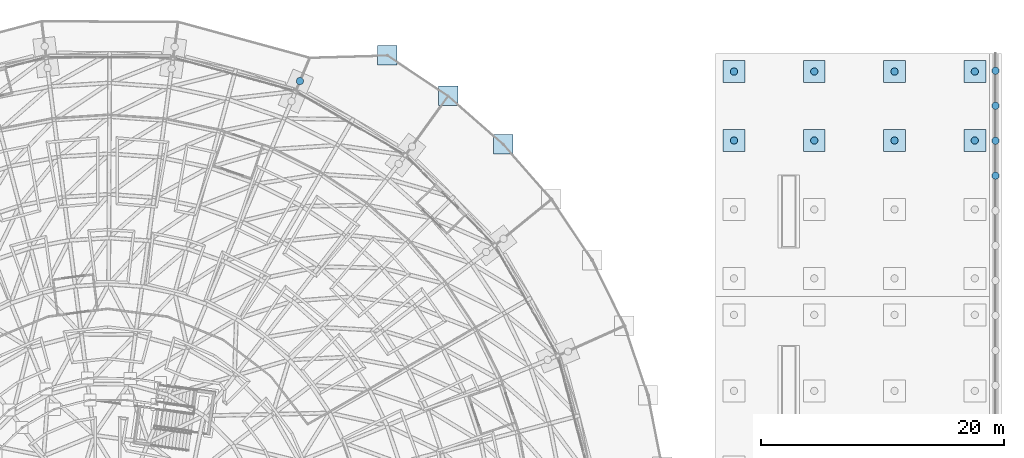
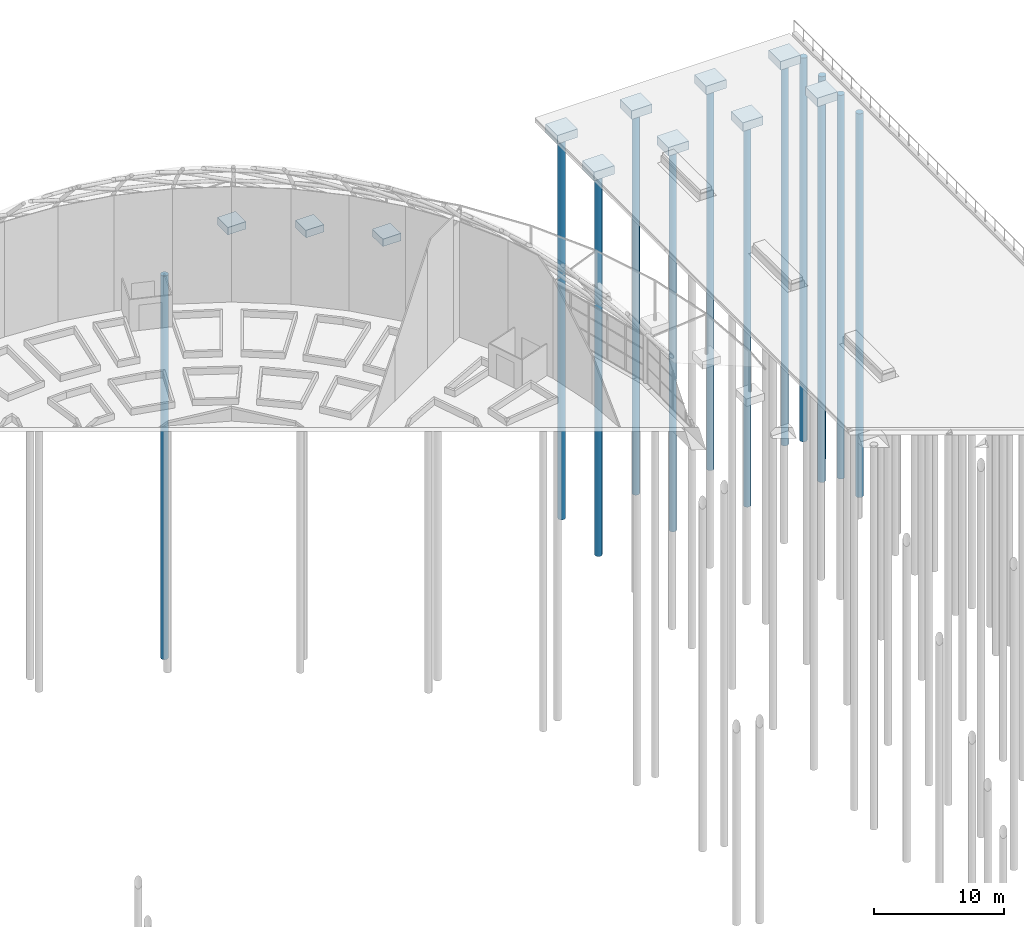
# One storey, part 12 of 226: 13 piles, 11 footings.
"""IFC4 building model written with IfcOpenShell, lengths in metres."""

from ifc_helpers import new_model, si_unit, direction, frame, origin, origin_2d, place, context, subcontext, project, spatial, polyline, circle, outline, extrude, material, layer, layer_set, material_profile, profile_set, type_object, element, save


model = new_model("IFC4")

# Units and contexts
model_context = context("Model", 3, precision=1e-05, world=origin(), true_north=direction((0.0, 1.0)))
body_context = subcontext(model_context, "Body", "Model", "MODEL_VIEW")
ifc_project = project(units=[si_unit("LENGTHUNIT", "METRE"), si_unit("AREAUNIT", "SQUARE_METRE"), si_unit("VOLUMEUNIT", "CUBIC_METRE"), si_unit("PLANEANGLEUNIT", "RADIAN"), si_unit("MASSUNIT", "GRAM", prefix="KILO")], contexts=[model_context])

# Site, building, storey
site_placement = place(None, origin())
site = spatial("IfcSite", under=ifc_project, at=site_placement, CompositionType="ELEMENT")
building_placement = place(site_placement, origin())
building = spatial("IfcBuilding", under=site, at=building_placement, Name="Ceibo Conservatory and Research Tower", CompositionType="ELEMENT")
storey_placement = place(building_placement, origin())
storey = spatial("IfcBuildingStorey", under=building, at=storey_placement, Name="L00", CompositionType="ELEMENT", Elevation=0.0)

# Piles
ifc_material_1 = material(Name="Concrete C35/45", Category="concrete")
ifc_material_profile = material_profile(ifc_material_1, circle(Radius=0.300048828125, at=origin_2d()), Name="RC D600")
ifc_profile_set = profile_set([ifc_material_profile], Name="Concrete C35/45")
pile_type = type_object("IfcPileType", Name="Bored pile D600", PredefinedType="BORED", material=ifc_profile_set)
for number, where, z_axis, x_axis, name in (
    (1, (171.81640625, 145.718017578125, -1.300048828125), (0.0, 0.0, -1.0), (1.0, 0.0, 0.0), "Pile DA.CAP.L00.05 02"),
    (2, (229.0, 137.94140625, -1.39990234375), (0.0, 0.0, -1.0), (1.0, 0.0, 0.0), "Pile SITE.STRIP.WALL.L00.QUAY.N 20"),
    (3, (229.0, 140.815185546875, -1.39990234375), (0.0, 0.0, -1.0), (1.0, 0.0, 0.0), "Pile SITE.STRIP.WALL.L00.QUAY.N 21"),
    (4, (229.0, 143.689208984375, -1.39990234375), (0.0, 0.0, -1.0), (1.0, 0.0, 0.0), "Pile SITE.STRIP.WALL.L00.QUAY.N 22"),
    (5, (229.0, 146.56298828125, -1.39990234375), (0.0, 0.0, -1.0), (1.0, 0.0, 0.0), "Pile SITE.STRIP.WALL.L00.QUAY.N 23"),
    (6, (207.5, 140.833251953125, -1.14990234375), (0.0, 0.0, -1.0), (1.0, 0.0, 0.0), "Pile SITE.QDECK.CAP.S3.09 01"),
    (7, (214.10009765625, 140.833251953125, -1.14990234375), (0.0, 0.0, -1.0), (1.0, 0.0, 0.0), "Pile SITE.QDECK.CAP.S3.10 01"),
    (8, (220.699951171875, 140.833251953125, -1.14990234375), (0.0, 0.0, -1.0), (1.0, 0.0, 0.0), "Pile SITE.QDECK.CAP.S3.11 01"),
    (9, (227.300048828125, 140.833251953125, -1.14990234375), (0.0, 0.0, -1.0), (1.0, 0.0, 0.0), "Pile SITE.QDECK.CAP.S3.12 01"),
    (10, (207.5, 146.5, -1.14990234375), (0.0, 0.0, -1.0), (1.0, 0.0, 0.0), "Pile SITE.QDECK.CAP.S3.13 01"),
    (11, (214.10009765625, 146.5, -1.14990234375), (0.0, 0.0, -1.0), (1.0, 0.0, 0.0), "Pile SITE.QDECK.CAP.S3.14 01"),
    (12, (220.699951171875, 146.5, -1.14990234375), (0.0, 0.0, -1.0), (1.0, 0.0, 0.0), "Pile SITE.QDECK.CAP.S3.15 01"),
    (13, (227.300048828125, 146.5, -1.14990234375), (0.0, 0.0, -1.0), (1.0, 0.0, 0.0), "Pile SITE.QDECK.CAP.S3.16 01"),
):
    element("IfcPile", number, at=place(storey_placement, frame(where, z_axis=z_axis, x_axis=x_axis)), inside=storey, type_object=pile_type, Name=name, PredefinedType="BORED", context=body_context, shape_type="SweptSolid", body=[
        extrude(circle(Radius=0.300048828125, at=origin_2d()), origin(), (0.0, 0.0, 1.0), 36.0),
    ])

# Footings
ifc_material_2 = material(Name="Concrete C40/50", Category="concrete")
ifc_layer_1 = layer(ifc_material_2, 0.699951171875)
ifc_layer_set_1 = layer_set([ifc_layer_1], Name="Concrete C40/50")
footing_type_1 = type_object("IfcFootingType", Name="Pad footing 1600x1600x700", PredefinedType="PAD_FOOTING", material=ifc_layer_set_1)
footing_1_placement = place(storey_placement, frame((0.0, 0.0, -0.699951171875)))
element("IfcFooting", 14, at=footing_1_placement, inside=storey, type_object=footing_type_1, Name="Pad footing LATE.DA.CAP.L00.15", PredefinedType="PAD_FOOTING", context=body_context, shape_type="SweptSolid", body=[
    extrude(outline(polyline([(187.726806640625, 139.726806640625), (189.326904296875, 139.726806640625), (189.326904296875, 141.326904296875), (187.726806640625, 141.326904296875), (187.726806640625, 139.726806640625)])), origin(), (0.0, 0.0, 1.0), 0.699951171875),
])
footing_2_placement = place(storey_placement, frame((0.0, 0.0, -0.699951171875)))
element("IfcFooting", 15, at=footing_2_placement, inside=storey, type_object=footing_type_1, Name="Pad footing LATE.DA.CAP.L00.16", PredefinedType="PAD_FOOTING", context=body_context, shape_type="SweptSolid", body=[
    extrude(outline(polyline([(183.203125, 143.6943359375), (184.802978515625, 143.6943359375), (184.802978515625, 145.294189453125), (183.203125, 145.294189453125), (183.203125, 143.6943359375)])), origin(), (0.0, 0.0, 1.0), 0.699951171875),
])
footing_3_placement = place(storey_placement, frame((0.0, 0.0, -0.699951171875)))
element("IfcFooting", 16, at=footing_3_placement, inside=storey, type_object=footing_type_1, Name="Pad footing LATE.DA.CAP.L00.17", PredefinedType="PAD_FOOTING", context=body_context, shape_type="SweptSolid", body=[
    extrude(outline(polyline([(178.199951171875, 147.037109375), (179.800048828125, 147.037109375), (179.800048828125, 148.63720703125), (178.199951171875, 148.63720703125), (178.199951171875, 147.037109375)])), origin(), (0.0, 0.0, 1.0), 0.699951171875),
])
ifc_layer_2 = layer(ifc_material_2, 0.800048828125)
ifc_layer_set_2 = layer_set([ifc_layer_2], Name="Concrete C40/50")
footing_type_2 = type_object("IfcFootingType", Name="Pile cap 1800x1800x800", PredefinedType="PILE_CAP", material=ifc_layer_set_2)
footing_4_placement = place(storey_placement, frame((0.0, 0.0, -1.25)))
element("IfcFooting", 17, at=footing_4_placement, inside=storey, type_object=footing_type_2, Name="Quay deck pile cap S3-09", PredefinedType="PILE_CAP", context=body_context, shape_type="SweptSolid", body=[
    extrude(outline(polyline([(206.60009765625, 139.933349609375), (208.39990234375, 139.933349609375), (208.39990234375, 141.7333984375), (206.60009765625, 141.7333984375), (206.60009765625, 139.933349609375)])), origin(), (0.0, 0.0, 1.0), 0.800048828125),
])
footing_5_placement = place(storey_placement, frame((0.0, 0.0, -1.25)))
element("IfcFooting", 18, at=footing_5_placement, inside=storey, type_object=footing_type_2, Name="Quay deck pile cap S3-10", PredefinedType="PILE_CAP", context=body_context, shape_type="SweptSolid", body=[
    extrude(outline(polyline([(213.199951171875, 139.933349609375), (215.0, 139.933349609375), (215.0, 141.7333984375), (213.199951171875, 141.7333984375), (213.199951171875, 139.933349609375)])), origin(), (0.0, 0.0, 1.0), 0.800048828125),
])
footing_6_placement = place(storey_placement, frame((0.0, 0.0, -1.25)))
element("IfcFooting", 19, at=footing_6_placement, inside=storey, type_object=footing_type_2, Name="Quay deck pile cap S3-11", PredefinedType="PILE_CAP", context=body_context, shape_type="SweptSolid", body=[
    extrude(outline(polyline([(219.800048828125, 139.933349609375), (221.60009765625, 139.933349609375), (221.60009765625, 141.7333984375), (219.800048828125, 141.7333984375), (219.800048828125, 139.933349609375)])), origin(), (0.0, 0.0, 1.0), 0.800048828125),
])
footing_7_placement = place(storey_placement, frame((0.0, 0.0, -1.25)))
element("IfcFooting", 20, at=footing_7_placement, inside=storey, type_object=footing_type_2, Name="Quay deck pile cap S3-12", PredefinedType="PILE_CAP", context=body_context, shape_type="SweptSolid", body=[
    extrude(outline(polyline([(226.39990234375, 139.933349609375), (228.199951171875, 139.933349609375), (228.199951171875, 141.7333984375), (226.39990234375, 141.7333984375), (226.39990234375, 139.933349609375)])), origin(), (0.0, 0.0, 1.0), 0.800048828125),
])
footing_8_placement = place(storey_placement, frame((0.0, 0.0, -1.25)))
element("IfcFooting", 21, at=footing_8_placement, inside=storey, type_object=footing_type_2, Name="Quay deck pile cap S3-13", PredefinedType="PILE_CAP", context=body_context, shape_type="SweptSolid", body=[
    extrude(outline(polyline([(206.60009765625, 145.60009765625), (208.39990234375, 145.60009765625), (208.39990234375, 147.39990234375), (206.60009765625, 147.39990234375), (206.60009765625, 145.60009765625)])), origin(), (0.0, 0.0, 1.0), 0.800048828125),
])
footing_9_placement = place(storey_placement, frame((0.0, 0.0, -1.25)))
element("IfcFooting", 22, at=footing_9_placement, inside=storey, type_object=footing_type_2, Name="Quay deck pile cap S3-14", PredefinedType="PILE_CAP", context=body_context, shape_type="SweptSolid", body=[
    extrude(outline(polyline([(213.199951171875, 145.60009765625), (215.0, 145.60009765625), (215.0, 147.39990234375), (213.199951171875, 147.39990234375), (213.199951171875, 145.60009765625)])), origin(), (0.0, 0.0, 1.0), 0.800048828125),
])
footing_10_placement = place(storey_placement, frame((0.0, 0.0, -1.25)))
element("IfcFooting", 23, at=footing_10_placement, inside=storey, type_object=footing_type_2, Name="Quay deck pile cap S3-15", PredefinedType="PILE_CAP", context=body_context, shape_type="SweptSolid", body=[
    extrude(outline(polyline([(219.800048828125, 145.60009765625), (221.60009765625, 145.60009765625), (221.60009765625, 147.39990234375), (219.800048828125, 147.39990234375), (219.800048828125, 145.60009765625)])), origin(), (0.0, 0.0, 1.0), 0.800048828125),
])
footing_11_placement = place(storey_placement, frame((0.0, 0.0, -1.25)))
element("IfcFooting", 24, at=footing_11_placement, inside=storey, type_object=footing_type_2, Name="Quay deck pile cap S3-16", PredefinedType="PILE_CAP", context=body_context, shape_type="SweptSolid", body=[
    extrude(outline(polyline([(226.39990234375, 145.60009765625), (228.199951171875, 145.60009765625), (228.199951171875, 147.39990234375), (226.39990234375, 147.39990234375), (226.39990234375, 145.60009765625)])), origin(), (0.0, 0.0, 1.0), 0.800048828125),
])

save(model, "model.ifc")
